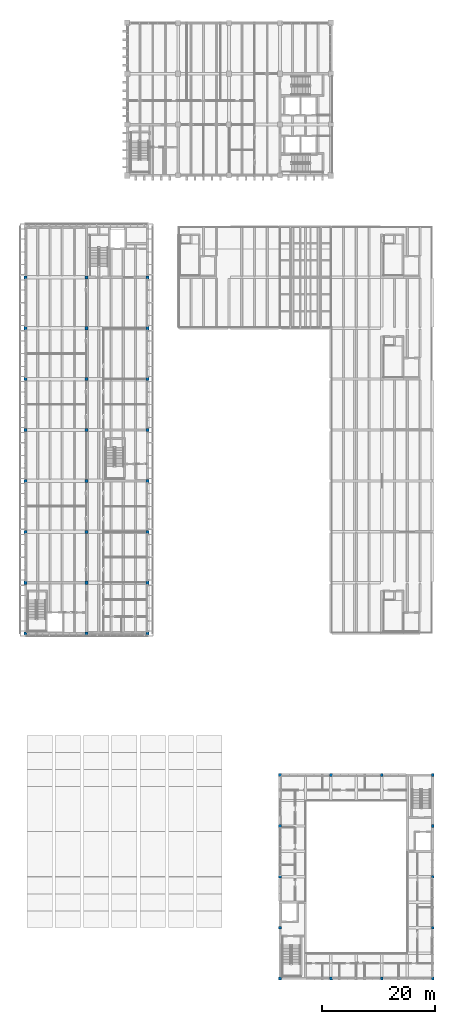
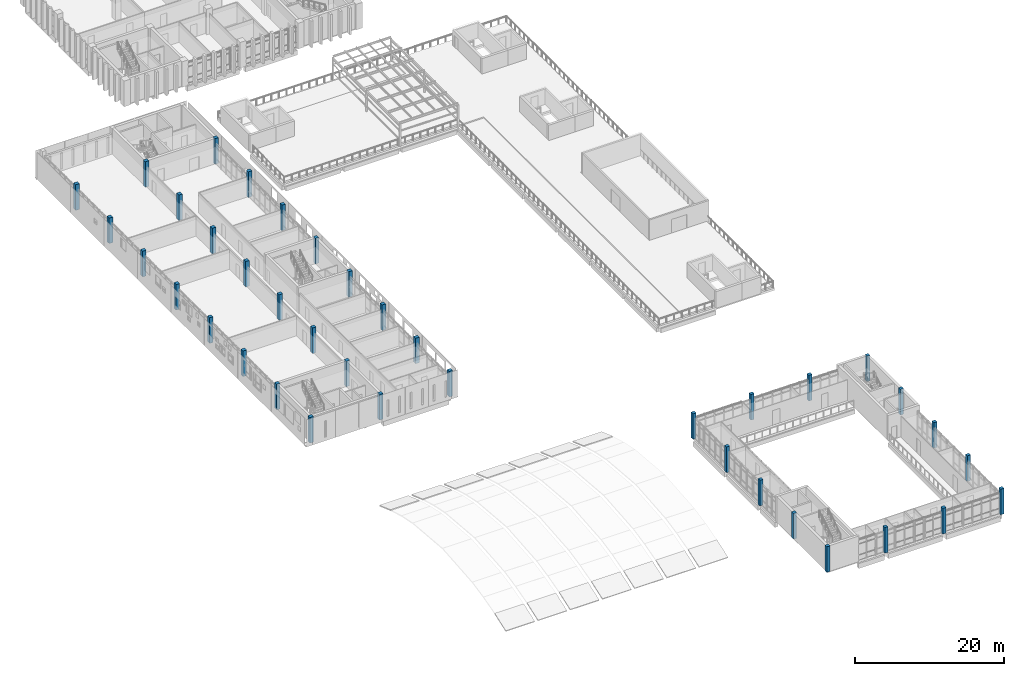
# One storey, part 1 of 74: 38 columns.
"""IFC4 building model written with IfcOpenShell, lengths in metres."""

from ifc_helpers import new_model, si_unit, direction, frame, origin, origin_2d, place, context, subcontext, project, spatial, rectangle, extrude, material, material_profile, profile_set, type_object, element, save


model = new_model("IFC4")

# Units and contexts
model_context = context("Model", 3, precision=1e-05, world=origin(), true_north=direction((0.0, 1.0)))
body_context = subcontext(model_context, "Body", "Model", "MODEL_VIEW")
ifc_project = project(units=[si_unit("LENGTHUNIT", "METRE"), si_unit("AREAUNIT", "SQUARE_METRE"), si_unit("VOLUMEUNIT", "CUBIC_METRE"), si_unit("PLANEANGLEUNIT", "RADIAN"), si_unit("MASSUNIT", "GRAM", prefix="KILO")], contexts=[model_context])

# Site, building, storey
site_placement = place(None, origin())
site = spatial("IfcSite", under=ifc_project, at=site_placement, CompositionType="ELEMENT")
building_placement = place(site_placement, origin())
building = spatial("IfcBuilding", under=site, at=building_placement, Name="Merrow Basin Faculty of Sciences", CompositionType="ELEMENT")
storey_placement = place(building_placement, frame((0.0, 0.0, 13.5)))
storey = spatial("IfcBuildingStorey", under=building, at=storey_placement, Name="L03", CompositionType="ELEMENT", Elevation=13.5)

# Columns
ifc_material_1 = material(Name="Concrete C40/50", Category="concrete")
ifc_material_profile_1 = material_profile(ifc_material_1, rectangle(XDim=0.5, YDim=0.5, at=origin_2d()))
ifc_profile_set_1 = profile_set([ifc_material_profile_1], Name="Concrete C40/50")
column_type_1 = type_object("IfcColumnType", Name="Column RC500x500 C40/50", PredefinedType="COLUMN", material=ifc_profile_set_1)
for number, where, z_axis, x_axis, name in (
    (1, (45.0, 0.0, 0.0), (0.0, 0.0, 1.0), (1.0, 0.0, 0.0), "Column F10 L03"),
    (2, (45.0, 9.0, 0.0), (0.0, 0.0, 1.0), (1.0, 0.0, 0.0), "Column F L03"),
    (3, (45.0, 18.0, 0.0), (0.0, 0.0, 1.0), (1.0, 0.0, 0.0), "Column F L03"),
    (4, (45.0, 27.0, 0.0), (0.0, 0.0, 1.0), (1.0, 0.0, 0.0), "Column F L03"),
    (5, (45.0, 36.0, 0.0), (0.0, 0.0, 1.0), (1.0, 0.0, 0.0), "Column F11 L03"),
    (6, (54.0, 0.0, 0.0), (0.0, 0.0, 1.0), (1.0, 0.0, 0.0), "Column G10 L03"),
    (7, (54.0, 36.0, 0.0), (0.0, 0.0, 1.0), (1.0, 0.0, 0.0), "Column G11 L03"),
    (8, (63.0, 0.0, 0.0), (0.0, 0.0, 1.0), (1.0, 0.0, 0.0), "Column H10 L03"),
    (9, (63.0, 36.0, 0.0), (0.0, 0.0, 1.0), (1.0, 0.0, 0.0), "Column H11 L03"),
    (10, (72.0, 0.0, 0.0), (0.0, 0.0, 1.0), (1.0, 0.0, 0.0), "Column J10 L03"),
    (11, (72.0, 9.0, 0.0), (0.0, 0.0, 1.0), (1.0, 0.0, 0.0), "Column J L03"),
    (12, (72.0, 18.0, 0.0), (0.0, 0.0, 1.0), (1.0, 0.0, 0.0), "Column J L03"),
    (13, (72.0, 27.0, 0.0), (0.0, 0.0, 1.0), (1.0, 0.0, 0.0), "Column J L03"),
    (14, (72.0, 36.0, 0.0), (0.0, 0.0, 1.0), (1.0, 0.0, 0.0), "Column J11 L03"),
):
    element("IfcColumn", number, at=place(storey_placement, frame(where, z_axis=z_axis, x_axis=x_axis)), inside=storey, type_object=column_type_1, Name=name, PredefinedType="COLUMN", context=body_context, shape_type="SweptSolid", body=[
        extrude(rectangle(XDim=0.5, YDim=0.5, at=origin_2d()), origin(), (0.0, 0.0, 1.0), 4.199951171875),
    ])
ifc_material_2 = material(Name="Concrete C40/50", Category="concrete")
ifc_material_profile_2 = material_profile(ifc_material_2, rectangle(XDim=0.550048828125, YDim=0.550048828125, at=origin_2d()))
ifc_profile_set_2 = profile_set([ifc_material_profile_2], Name="Concrete C40/50")
column_type_2 = type_object("IfcColumnType", Name="Column RC550x550 C40/50", PredefinedType="COLUMN", material=ifc_profile_set_2)
for number, where, z_axis, x_axis, name in (
    (15, (0.0, 61.0, 0.0), (0.0, 0.0, 1.0), (1.0, 0.0, 0.0), "Column A1 L03"),
    (16, (0.0, 70.0, 0.0), (0.0, 0.0, 1.0), (1.0, 0.0, 0.0), "Column A2 L03"),
    (17, (0.0, 79.0, 0.0), (0.0, 0.0, 1.0), (1.0, 0.0, 0.0), "Column A3 L03"),
    (18, (0.0, 88.0, 0.0), (0.0, 0.0, 1.0), (1.0, 0.0, 0.0), "Column A4 L03"),
    (19, (0.0, 97.0, 0.0), (0.0, 0.0, 1.0), (1.0, 0.0, 0.0), "Column A5 L03"),
    (20, (0.0, 106.0, 0.0), (0.0, 0.0, 1.0), (1.0, 0.0, 0.0), "Column A6 L03"),
    (21, (0.0, 115.0, 0.0), (0.0, 0.0, 1.0), (1.0, 0.0, 0.0), "Column A7 L03"),
    (22, (0.0, 124.0, 0.0), (0.0, 0.0, 1.0), (1.0, 0.0, 0.0), "Column A8 L03"),
    (23, (10.800048828125, 61.0, 0.0), (0.0, 0.0, 1.0), (1.0, 0.0, 0.0), "Column B1 L03"),
    (24, (10.800048828125, 70.0, 0.0), (0.0, 0.0, 1.0), (1.0, 0.0, 0.0), "Column B2 L03"),
    (25, (10.800048828125, 79.0, 0.0), (0.0, 0.0, 1.0), (1.0, 0.0, 0.0), "Column B3 L03"),
    (26, (10.800048828125, 88.0, 0.0), (0.0, 0.0, 1.0), (1.0, 0.0, 0.0), "Column B4 L03"),
    (27, (10.800048828125, 97.0, 0.0), (0.0, 0.0, 1.0), (1.0, 0.0, 0.0), "Column B5 L03"),
    (28, (10.800048828125, 106.0, 0.0), (0.0, 0.0, 1.0), (1.0, 0.0, 0.0), "Column B6 L03"),
    (29, (10.800048828125, 115.0, 0.0), (0.0, 0.0, 1.0), (1.0, 0.0, 0.0), "Column B7 L03"),
    (30, (10.800048828125, 124.0, 0.0), (0.0, 0.0, 1.0), (1.0, 0.0, 0.0), "Column B8 L03"),
    (31, (21.60009765625, 61.0, 0.0), (0.0, 0.0, 1.0), (1.0, 0.0, 0.0), "Column C1 L03"),
    (32, (21.60009765625, 70.0, 0.0), (0.0, 0.0, 1.0), (1.0, 0.0, 0.0), "Column C2 L03"),
    (33, (21.60009765625, 79.0, 0.0), (0.0, 0.0, 1.0), (1.0, 0.0, 0.0), "Column C3 L03"),
    (34, (21.60009765625, 88.0, 0.0), (0.0, 0.0, 1.0), (1.0, 0.0, 0.0), "Column C4 L03"),
    (35, (21.60009765625, 97.0, 0.0), (0.0, 0.0, 1.0), (1.0, 0.0, 0.0), "Column C5 L03"),
    (36, (21.60009765625, 106.0, 0.0), (0.0, 0.0, 1.0), (1.0, 0.0, 0.0), "Column C6 L03"),
    (37, (21.60009765625, 115.0, 0.0), (0.0, 0.0, 1.0), (1.0, 0.0, 0.0), "Column C7 L03"),
    (38, (21.60009765625, 124.0, 0.0), (0.0, 0.0, 1.0), (1.0, 0.0, 0.0), "Column C8 L03"),
):
    element("IfcColumn", number, at=place(storey_placement, frame(where, z_axis=z_axis, x_axis=x_axis)), inside=storey, type_object=column_type_2, Name=name, PredefinedType="COLUMN", context=body_context, shape_type="SweptSolid", body=[
        extrude(rectangle(XDim=0.550048828125, YDim=0.550048828125, at=origin_2d()), origin(), (0.0, 0.0, 1.0), 4.199951171875),
    ])

save(model, "model.ifc")
